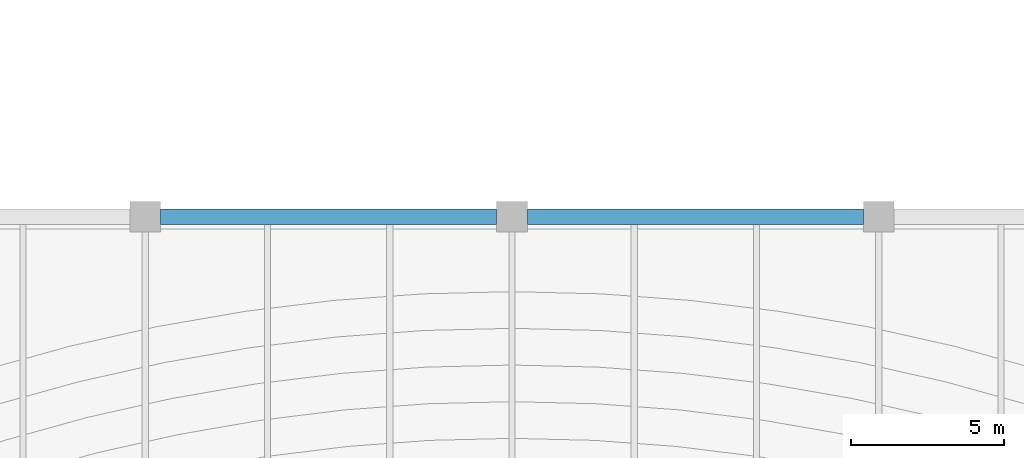
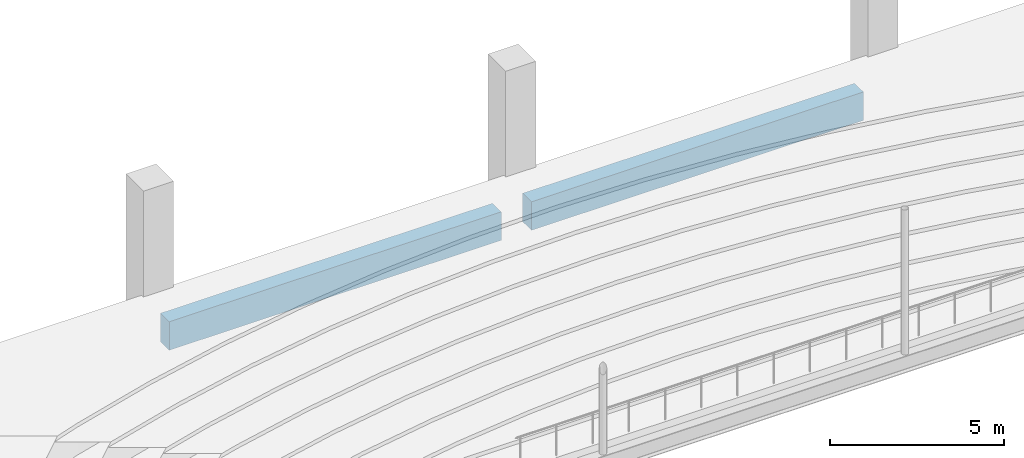
# One storey, part 32 of 69: 2 beams.
"""IFC4 building model written with IfcOpenShell, lengths in metres."""

from ifc_helpers import new_model, si_unit, direction, frame, origin, origin_2d, place, context, subcontext, project, spatial, rectangle, extrude, material, material_profile, profile_set, type_object, element, save


model = new_model("IFC4")

# Units and contexts
model_context = context("Model", 3, precision=1e-05, world=origin(), true_north=direction((0.0, 1.0)))
body_context = subcontext(model_context, "Body", "Model", "MODEL_VIEW")
ifc_project = project(units=[si_unit("LENGTHUNIT", "METRE"), si_unit("AREAUNIT", "SQUARE_METRE"), si_unit("VOLUMEUNIT", "CUBIC_METRE"), si_unit("PLANEANGLEUNIT", "RADIAN"), si_unit("MASSUNIT", "GRAM", prefix="KILO")], contexts=[model_context])

# Site, building, storey
site_placement = place(None, origin())
site = spatial("IfcSite", under=ifc_project, at=site_placement, CompositionType="ELEMENT")
building_placement = place(site_placement, origin())
building = spatial("IfcBuilding", under=site, at=building_placement, Name="Lilac Gate Convention Centre", CompositionType="ELEMENT")
storey_placement = place(building_placement, frame((0.0, 0.0, 12.0)))
storey = spatial("IfcBuildingStorey", under=building, at=storey_placement, Name="L02", CompositionType="ELEMENT", Elevation=12.0)

# Beams
ifc_material = material(Name="Concrete C40", Category="concrete")
ifc_material_profile = material_profile(ifc_material, rectangle(XDim=0.5, YDim=1.0, at=origin_2d()), Name="RC 500x1000")
ifc_profile_set = profile_set([ifc_material_profile], Name="Concrete C40")
beam_type = type_object("IfcBeamType", Name="Primary beam 500x1000 C40", PredefinedType="BEAM", material=ifc_profile_set)
for number, where, z_axis, x_axis, name in (
    (1, (42.5, 162.0, -0.75), (1.0, 0.0, 0.0), (0.0, 1.0, 0.0), "RB1 L02 4/M-5/M"),
    (2, (54.5, 162.0, -0.75), (1.0, 0.0, 0.0), (0.0, 1.0, 0.0), "RB1 L02 5/M-6/M"),
):
    element("IfcBeam", number, at=place(storey_placement, frame(where, z_axis=z_axis, x_axis=x_axis)), inside=storey, type_object=beam_type, Name=name, PredefinedType="BEAM", context=body_context, shape_type="SweptSolid", body=[
        extrude(rectangle(XDim=0.5, YDim=1.0, at=origin_2d()), origin(), (0.0, 0.0, 1.0), 11.0),
    ])

save(model, "model.ifc")
